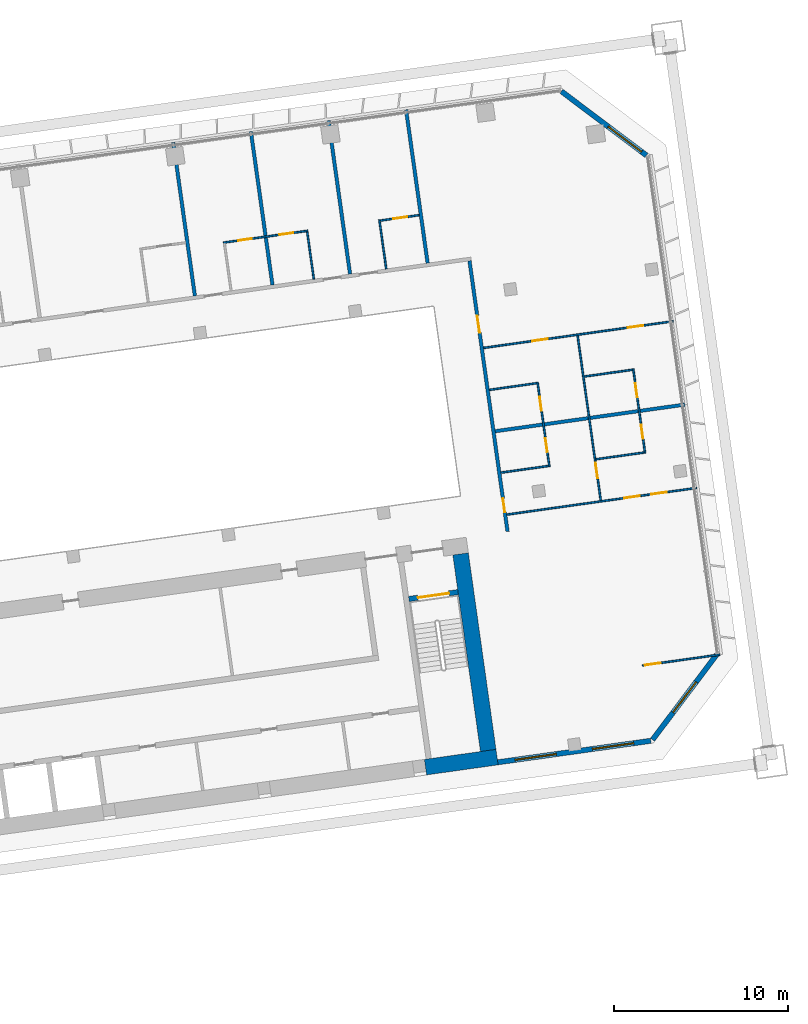
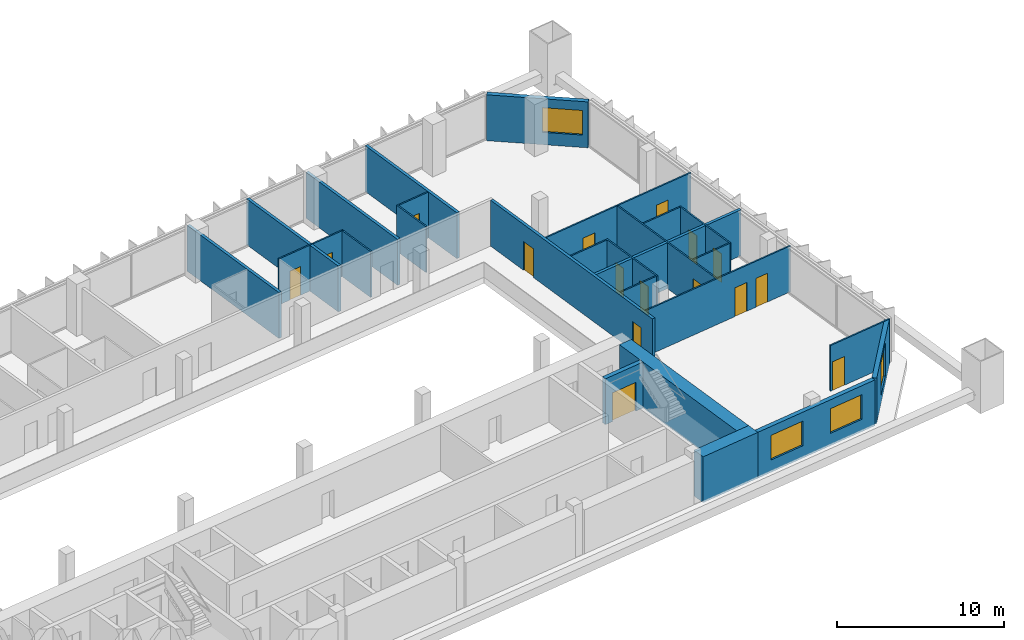
# One storey, part 36 of 46: 26 walls, 16 doors, 4 windows, 20 openings.
"""IFC4 building model written with IfcOpenShell, lengths in metres."""

from ifc_helpers import new_model, si_unit, direction, frame, frame_2d, origin, place, context, subcontext, project, spatial, rectangle, extrude, material, layer, layer_set, type_object, element, fill, save


model = new_model("IFC4")

# Units and contexts
model_context = context("Model", 3, precision=1e-05, world=origin(), true_north=direction((0.0, 1.0)))
body_context = subcontext(model_context, "Body", "Model", "MODEL_VIEW")
ifc_project = project(units=[si_unit("LENGTHUNIT", "METRE"), si_unit("AREAUNIT", "SQUARE_METRE"), si_unit("VOLUMEUNIT", "CUBIC_METRE"), si_unit("PLANEANGLEUNIT", "RADIAN"), si_unit("MASSUNIT", "GRAM", prefix="KILO")], contexts=[model_context])

# Site, building, storey
site_placement = place(None, origin())
site = spatial("IfcSite", under=ifc_project, at=site_placement, CompositionType="ELEMENT")
building_placement = place(site_placement, origin())
building = spatial("IfcBuilding", under=site, at=building_placement, Name="Mirante Cascada Hotel Towers", CompositionType="ELEMENT")
storey_placement = place(building_placement, frame((0.0, 0.0, 39.5)))
storey = spatial("IfcBuildingStorey", under=building, at=storey_placement, Name="L06", CompositionType="ELEMENT", Elevation=39.5)

# Walls
ifc_material_1 = material(Name="Fire-rated plasterboard on metal studs")
ifc_layer_1 = layer(ifc_material_1, 0.2)
ifc_layer_set_1 = layer_set([ifc_layer_1], Name="Compartment wall 200 EI 120")
wall_type_1 = type_object("IfcWallType", Name="Compartment wall 200 EI 120", PredefinedType="PARTITIONING", material=ifc_layer_set_1)
wall_1_placement = place(storey_placement, frame((90.4064, 6.4896, 0.0), z_axis=(0.0, 0.0, 1.0), x_axis=(0.990268, 0.1391733, 0.0)))
element("IfcWall", 1, at=wall_1_placement, inside=storey, type_object=wall_type_1, Name="Wall 2-L06-09", PredefinedType="PARTITIONING", context=body_context, shape_type="SweptSolid", body=[
    extrude(rectangle(XDim=11.0, YDim=0.2, at=frame_2d((5.5, 0.0))), origin(), (0.0, 0.0, 1.0), 3.35),
])
for number, where, z_axis, x_axis, name in (
    (2, (73.1564, 14.2645, 0.0), (0.0, 0.0, 1.0), (-0.1391684, 0.9902687, 0.0), "Wall 2-L06-47"),
    (3, (77.6126, 14.8908, 0.0), (0.0, 0.0, 1.0), (-0.1391684, 0.9902687, 0.0), "Wall 2-L06-49"),
):
    element("IfcWall", number, at=place(storey_placement, frame(where, z_axis=z_axis, x_axis=x_axis)), inside=storey, type_object=wall_type_1, Name=name, PredefinedType="PARTITIONING", context=body_context, shape_type="SweptSolid", body=[
        extrude(rectangle(XDim=8.9, YDim=0.2, at=frame_2d((4.45, 0.0))), origin(), (0.0, 0.0, 1.0), 3.35),
    ])
wall_2_placement = place(storey_placement, frame((82.0688, 15.5171, 0.0), z_axis=(0.0, 0.0, 1.0), x_axis=(-0.13917, 0.9902685, 0.0)))
element("IfcWall", 4, at=wall_2_placement, inside=storey, type_object=wall_type_1, Name="Wall 2-L06-51", PredefinedType="PARTITIONING", context=body_context, shape_type="SweptSolid", body=[
    extrude(rectangle(XDim=8.8999, YDim=0.2, at=frame_2d((4.45, 0.0))), origin(), (0.0, 0.0, 1.0), 3.35),
])
wall_3_placement = place(storey_placement, frame((86.525, 16.1433, 0.0), z_axis=(0.0, 0.0, 1.0), x_axis=(-0.1391684, 0.9902687, 0.0)))
element("IfcWall", 5, at=wall_3_placement, inside=storey, type_object=wall_type_1, Name="Wall 2-L06-53", PredefinedType="PARTITIONING", context=body_context, shape_type="SweptSolid", body=[
    extrude(rectangle(XDim=8.9, YDim=0.2, at=frame_2d((4.45, 0.0))), origin(), (0.0, 0.0, 1.0), 3.35),
])

# Wall, openings, doors
wall_4_placement = place(storey_placement, frame((88.9295, 16.2793, 0.0), z_axis=(0.0, 0.0, 1.0), x_axis=(0.1391721, -0.9902682, 0.0)))
wall_4 = element("IfcWall", 6, at=wall_4_placement, inside=storey, type_object=wall_type_1, Name="Wall 2-L06-54", PredefinedType="PARTITIONING", context=body_context, shape_type="SweptSolid", body=[
    extrude(rectangle(XDim=15.7, YDim=0.2, at=frame_2d((7.85, 0.0))), origin(), (0.0, 0.0, 1.0), 3.35),
])
opening_1_placement = place(wall_4_placement, frame((13.7833, 0.0, 0.0)))
opening_1 = element("IfcOpeningElement", 7, at=opening_1_placement, cuts=wall_4, Name="Opening D2-L06-35", PredefinedType="OPENING", context=body_context, shape_type="SweptSolid", body=[
    extrude(rectangle(XDim=0.8, YDim=2.1, at=frame_2d((0.4, 1.05))), frame((0.0, 0.1, 0.0), z_axis=(0.0, -1.0, 0.0), x_axis=(1.0, 0.0, 0.0)), (0.0, 0.0, 1.0), 0.2),
])
opening_2_placement = place(wall_4_placement, frame((3.1834, 0.0, 0.0)))
opening_2 = element("IfcOpeningElement", 8, at=opening_2_placement, cuts=wall_4, Name="Opening D2-L06-36", PredefinedType="OPENING", context=body_context, shape_type="SweptSolid", body=[
    extrude(rectangle(XDim=1.0, YDim=2.1, at=frame_2d((0.5, 1.05))), frame((0.0, 0.1, 0.0), z_axis=(0.0, -1.0, 0.0), x_axis=(1.0, 0.0, 0.0)), (0.0, 0.0, 1.0), 0.2),
])
ifc_material_2 = material(Name="Fire-rated timber door leaf", Category="wood")
door_type_1 = type_object("IfcDoorType", Name="Bathroom door DG4 800x2100 EI 60", OperationType="SINGLE_SWING_LEFT", PredefinedType="DOOR", material=ifc_material_2)
door_1_placement = place(opening_1_placement, frame((0.8, 0.0, 0.0), z_axis=(0.0, 0.0, 1.0), x_axis=(-1.0, 0.0, 0.0)))
door_1 = element("IfcDoor", 9, at=door_1_placement, inside=storey, type_object=door_type_1, Name="Door D2-L06-35", OperationType="SINGLE_SWING_RIGHT", OverallHeight=2.1, OverallWidth=0.8, PredefinedType="DOOR", context=body_context, shape_type="SweptSolid", body=[
    extrude(rectangle(XDim=0.8, YDim=2.1, at=frame_2d((0.4, 1.05))), frame((0.0, 0.025, 0.0), z_axis=(0.0, -1.0, 0.0), x_axis=(1.0, 0.0, 0.0)), (0.0, 0.0, 1.0), 0.05),
])
fill(opening_1, door_1)
ifc_material_3 = material(Name="Fire-rated timber door leaf", Category="wood")
door_type_2 = type_object("IfcDoorType", Name="Entrance door DG1 1000x2100 EI 60", OperationType="SINGLE_SWING_LEFT", PredefinedType="DOOR", material=ifc_material_3)
door_2_placement = place(opening_2_placement, origin())
door_2 = element("IfcDoor", 10, at=door_2_placement, inside=storey, type_object=door_type_2, Name="Door D2-L06-36", OperationType="SINGLE_SWING_LEFT", OverallHeight=2.1, OverallWidth=1.0, PredefinedType="DOOR", context=body_context, shape_type="SweptSolid", body=[
    extrude(rectangle(XDim=1.0, YDim=2.1, at=frame_2d((0.5, 1.05))), frame((0.0, 0.025, 0.0), z_axis=(0.0, -1.0, 0.0), x_axis=(1.0, 0.0, 0.0)), (0.0, 0.0, 1.0), 0.05),
])
fill(opening_2, door_2)

# Wall, opening, door
ifc_material_4 = material(Name="Plasterboard on metal studs")
ifc_layer_2 = layer(ifc_material_4, 0.1)
ifc_layer_set_2 = layer_set([ifc_layer_2], Name="Partition 100")
wall_type_2 = type_object("IfcWallType", Name="Partition 100", PredefinedType="PARTITIONING", material=ifc_layer_set_2)
wall_5_placement = place(storey_placement, frame((98.8611, -6.9647, 0.0), z_axis=(0.0, 0.0, 1.0), x_axis=(0.9902674, 0.1391779, 0.0)))
wall_5 = element("IfcWall", 11, at=wall_5_placement, inside=storey, type_object=wall_type_2, Name="Wall 2-L06-01", PredefinedType="PARTITIONING", context=body_context, shape_type="SweptSolid", body=[
    extrude(rectangle(XDim=4.5, YDim=0.1, at=frame_2d((2.25, 0.0))), origin(), (0.0, 0.0, 1.0), 3.35),
])
opening_3_placement = place(wall_5_placement, frame((0.15, 0.0, 0.0)))
opening_3 = element("IfcOpeningElement", 12, at=opening_3_placement, cuts=wall_5, Name="Opening D2-L06-01", PredefinedType="OPENING", context=body_context, shape_type="SweptSolid", body=[
    extrude(rectangle(XDim=0.9, YDim=2.1, at=frame_2d((0.45, 1.05))), frame((0.0, 0.05, 0.0), z_axis=(0.0, -1.0, 0.0), x_axis=(1.0, 0.0, 0.0)), (0.0, 0.0, 1.0), 0.1),
])
ifc_material_5 = material(Name="Timber door leaf", Category="wood")
door_type_3 = type_object("IfcDoorType", Name="Room door DG3 900x2100", OperationType="SINGLE_SWING_LEFT", PredefinedType="DOOR", material=ifc_material_5)
door_3_placement = place(opening_3_placement, origin())
door_3 = element("IfcDoor", 13, at=door_3_placement, inside=storey, type_object=door_type_3, Name="Door D2-L06-01", OperationType="SINGLE_SWING_LEFT", OverallHeight=2.1, OverallWidth=0.9, PredefinedType="DOOR", context=body_context, shape_type="SweptSolid", body=[
    extrude(rectangle(XDim=0.9, YDim=2.1, at=frame_2d((0.45, 1.05))), frame((0.0, 0.025, 0.0), z_axis=(0.0, -1.0, 0.0), x_axis=(1.0, 0.0, 0.0)), (0.0, 0.0, 1.0), 0.05),
])
fill(opening_3, door_3)

# Wall, openings, doors
wall_6_placement = place(storey_placement, frame((91.079, 1.7033, 0.0), z_axis=(0.0, 0.0, 1.0), x_axis=(0.9902682, 0.1391721, 0.0)))
wall_6 = element("IfcWall", 14, at=wall_6_placement, inside=storey, type_object=wall_type_2, Name="Wall 2-L06-05", PredefinedType="PARTITIONING", context=body_context, shape_type="SweptSolid", body=[
    extrude(rectangle(XDim=11.0001, YDim=0.1, at=frame_2d((5.5, 0.0))), origin(), (0.0, 0.0, 1.0), 3.35),
])
opening_4_placement = place(wall_6_placement, frame((6.8, 0.0, 0.0)))
opening_4 = element("IfcOpeningElement", 15, at=opening_4_placement, cuts=wall_6, Name="Opening D2-L06-03", PredefinedType="OPENING", context=body_context, shape_type="SweptSolid", body=[
    extrude(rectangle(XDim=0.9, YDim=2.1, at=frame_2d((0.45, 1.05))), frame((0.0, 0.05, 0.0), z_axis=(0.0, -1.0, 0.0), x_axis=(1.0, 0.0, 0.0)), (0.0, 0.0, 1.0), 0.1),
])
opening_5_placement = place(wall_6_placement, frame((8.375, 0.0, 0.0)))
opening_5 = element("IfcOpeningElement", 16, at=opening_5_placement, cuts=wall_6, Name="Opening D2-L06-04", PredefinedType="OPENING", context=body_context, shape_type="SweptSolid", body=[
    extrude(rectangle(XDim=0.9, YDim=2.1, at=frame_2d((0.45, 1.05))), frame((0.0, 0.05, 0.0), z_axis=(0.0, -1.0, 0.0), x_axis=(1.0, 0.0, 0.0)), (0.0, 0.0, 1.0), 0.1),
])
door_4_placement = place(opening_4_placement, frame((0.9, 0.0, 0.0), z_axis=(0.0, 0.0, 1.0), x_axis=(-1.0, 0.0, 0.0)))
door_4 = element("IfcDoor", 17, at=door_4_placement, inside=storey, type_object=door_type_3, Name="Door D2-L06-03", OperationType="SINGLE_SWING_RIGHT", OverallHeight=2.1, OverallWidth=0.9, PredefinedType="DOOR", context=body_context, shape_type="SweptSolid", body=[
    extrude(rectangle(XDim=0.9, YDim=2.1, at=frame_2d((0.45, 1.05))), frame((0.0, 0.025, 0.0), z_axis=(0.0, -1.0, 0.0), x_axis=(1.0, 0.0, 0.0)), (0.0, 0.0, 1.0), 0.05),
])
fill(opening_4, door_4)
door_5_placement = place(opening_5_placement, frame((0.9, 0.0, 0.0), z_axis=(0.0, 0.0, 1.0), x_axis=(-1.0, 0.0, 0.0)))
door_5 = element("IfcDoor", 18, at=door_5_placement, inside=storey, type_object=door_type_3, Name="Door D2-L06-04", OperationType="SINGLE_SWING_RIGHT", OverallHeight=2.1, OverallWidth=0.9, PredefinedType="DOOR", context=body_context, shape_type="SweptSolid", body=[
    extrude(rectangle(XDim=0.9, YDim=2.1, at=frame_2d((0.45, 1.05))), frame((0.0, 0.025, 0.0), z_axis=(0.0, -1.0, 0.0), x_axis=(1.0, 0.0, 0.0)), (0.0, 0.0, 1.0), 0.05),
])
fill(opening_5, door_5)

# Walls
wall_7_placement = place(storey_placement, frame((93.4636, 4.4956, 0.0), z_axis=(0.0, 0.0, 1.0), x_axis=(-0.9902691, -0.1391657, 0.0)))
element("IfcWall", 19, at=wall_7_placement, inside=storey, type_object=wall_type_2, Name="Wall 2-L06-06", PredefinedType="PARTITIONING", context=body_context, shape_type="SweptSolid", body=[
    extrude(rectangle(XDim=2.75, YDim=0.1, at=frame_2d((1.375, 0.0))), origin(), (0.0, 0.0, 1.0), 3.35),
])
wall_8_placement = place(storey_placement, frame((96.1868, 4.8784, 0.0), z_axis=(0.0, 0.0, 1.0), x_axis=(0.9902677, 0.139176, 0.0)))
element("IfcWall", 20, at=wall_8_placement, inside=storey, type_object=wall_type_2, Name="Wall 2-L06-07", PredefinedType="PARTITIONING", context=body_context, shape_type="SweptSolid", body=[
    extrude(rectangle(XDim=2.8001, YDim=0.1, at=frame_2d((1.4, 0.0))), origin(), (0.0, 0.0, 1.0), 3.35),
])
wall_9_placement = place(storey_placement, frame((90.0723, 8.8662, 0.0), z_axis=(0.0, 0.0, 1.0), x_axis=(0.9902698, 0.1391607, 0.0)))
element("IfcWall", 21, at=wall_9_placement, inside=storey, type_object=wall_type_2, Name="Wall 2-L06-11", PredefinedType="PARTITIONING", context=body_context, shape_type="SweptSolid", body=[
    extrude(rectangle(XDim=2.7501, YDim=0.1, at=frame_2d((1.3751, 0.0))), origin(), (0.0, 0.0, 1.0), 3.35),
])
wall_10_placement = place(storey_placement, frame((98.2916, 10.0213, 0.0), z_axis=(0.0, 0.0, 1.0), x_axis=(-0.9902726, -0.139141, 0.0)))
element("IfcWall", 22, at=wall_10_placement, inside=storey, type_object=wall_type_2, Name="Wall 2-L06-12", PredefinedType="PARTITIONING", context=body_context, shape_type="SweptSolid", body=[
    extrude(rectangle(XDim=2.8, YDim=0.1, at=frame_2d((1.4, 0.0))), origin(), (0.0, 0.0, 1.0), 3.35),
])

# Wall, openings, doors
wall_11_placement = place(storey_placement, frame((100.6266, 12.8067, 0.0), z_axis=(0.0, 0.0, 1.0), x_axis=(-0.990268, -0.1391733, 0.0)))
wall_11 = element("IfcWall", 23, at=wall_11_placement, inside=storey, type_object=wall_type_2, Name="Wall 2-L06-14", PredefinedType="PARTITIONING", context=body_context, shape_type="SweptSolid", body=[
    extrude(rectangle(XDim=11.0, YDim=0.1, at=frame_2d((5.5, 0.0))), origin(), (0.0, 0.0, 1.0), 3.35),
])
opening_6_placement = place(wall_11_placement, frame((7.275, 0.0, 0.0)))
opening_6 = element("IfcOpeningElement", 24, at=opening_6_placement, cuts=wall_11, Name="Opening D2-L06-05", PredefinedType="OPENING", context=body_context, shape_type="SweptSolid", body=[
    extrude(rectangle(XDim=0.9, YDim=2.1, at=frame_2d((0.45, 1.05))), frame((0.0, 0.05, 0.0), z_axis=(0.0, -1.0, 0.0), x_axis=(1.0, 0.0, 0.0)), (0.0, 0.0, 1.0), 0.1),
])
opening_7_placement = place(wall_11_placement, frame((1.725, 0.0, 0.0)))
opening_7 = element("IfcOpeningElement", 25, at=opening_7_placement, cuts=wall_11, Name="Opening D2-L06-06", PredefinedType="OPENING", context=body_context, shape_type="SweptSolid", body=[
    extrude(rectangle(XDim=0.9, YDim=2.1, at=frame_2d((0.45, 1.05))), frame((0.0, 0.05, 0.0), z_axis=(0.0, -1.0, 0.0), x_axis=(1.0, 0.0, 0.0)), (0.0, 0.0, 1.0), 0.1),
])
door_6_placement = place(opening_6_placement, frame((0.9, 0.0, 0.0), z_axis=(0.0, 0.0, 1.0), x_axis=(-1.0, 0.0, 0.0)))
door_6 = element("IfcDoor", 26, at=door_6_placement, inside=storey, type_object=door_type_3, Name="Door D2-L06-05", OperationType="SINGLE_SWING_RIGHT", OverallHeight=2.1, OverallWidth=0.9, PredefinedType="DOOR", context=body_context, shape_type="SweptSolid", body=[
    extrude(rectangle(XDim=0.9, YDim=2.1, at=frame_2d((0.45, 1.05))), frame((0.0, 0.025, 0.0), z_axis=(0.0, -1.0, 0.0), x_axis=(1.0, 0.0, 0.0)), (0.0, 0.0, 1.0), 0.05),
])
fill(opening_6, door_6)
door_7_placement = place(opening_7_placement, frame((0.9, 0.0, 0.0), z_axis=(0.0, 0.0, 1.0), x_axis=(-1.0, 0.0, 0.0)))
door_7 = element("IfcDoor", 27, at=door_7_placement, inside=storey, type_object=door_type_3, Name="Door D2-L06-06", OperationType="SINGLE_SWING_RIGHT", OverallHeight=2.1, OverallWidth=0.9, PredefinedType="DOOR", context=body_context, shape_type="SweptSolid", body=[
    extrude(rectangle(XDim=0.9, YDim=2.1, at=frame_2d((0.45, 1.05))), frame((0.0, 0.025, 0.0), z_axis=(0.0, -1.0, 0.0), x_axis=(1.0, 0.0, 0.0)), (0.0, 0.0, 1.0), 0.05),
])
fill(opening_7, door_7)

wall_12_placement = place(storey_placement, frame((79.6491, 18.0045, 0.0), z_axis=(0.0, 0.0, 1.0), x_axis=(-0.9902694, -0.1391638, 0.0)))
wall_12 = element("IfcWall", 28, at=wall_12_placement, inside=storey, type_object=wall_type_2, Name="Wall 2-L06-22", PredefinedType="PARTITIONING", context=body_context, shape_type="SweptSolid", body=[
    extrude(rectangle(XDim=4.9, YDim=0.1, at=frame_2d((2.45, 0.0))), origin(), (0.0, 0.0, 1.0), 3.35),
])
opening_8_placement = place(wall_12_placement, frame((3.25, 0.0, 0.0)))
opening_8 = element("IfcOpeningElement", 29, at=opening_8_placement, cuts=wall_12, Name="Opening D2-L06-23", PredefinedType="OPENING", context=body_context, shape_type="SweptSolid", body=[
    extrude(rectangle(XDim=0.8, YDim=2.1, at=frame_2d((0.4, 1.05))), frame((0.0, 0.05, 0.0), z_axis=(0.0, -1.0, 0.0), x_axis=(1.0, 0.0, 0.0)), (0.0, 0.0, 1.0), 0.1),
])
opening_9_placement = place(wall_12_placement, frame((0.85, 0.0, 0.0)))
opening_9 = element("IfcOpeningElement", 30, at=opening_9_placement, cuts=wall_12, Name="Opening D2-L06-24", PredefinedType="OPENING", context=body_context, shape_type="SweptSolid", body=[
    extrude(rectangle(XDim=0.8, YDim=2.1, at=frame_2d((0.4, 1.05))), frame((0.0, 0.05, 0.0), z_axis=(0.0, -1.0, 0.0), x_axis=(1.0, 0.0, 0.0)), (0.0, 0.0, 1.0), 0.1),
])
ifc_material_6 = material(Name="Timber door leaf", Category="wood")
door_type_4 = type_object("IfcDoorType", Name="Bathroom door DG4 800x2100", OperationType="SINGLE_SWING_LEFT", PredefinedType="DOOR", material=ifc_material_6)
door_8_placement = place(opening_8_placement, frame((0.8, 0.0, 0.0), z_axis=(0.0, 0.0, 1.0), x_axis=(-1.0, 0.0, 0.0)))
door_8 = element("IfcDoor", 31, at=door_8_placement, inside=storey, type_object=door_type_4, Name="Door D2-L06-23", OperationType="SINGLE_SWING_RIGHT", OverallHeight=2.1, OverallWidth=0.8, PredefinedType="DOOR", context=body_context, shape_type="SweptSolid", body=[
    extrude(rectangle(XDim=0.8, YDim=2.1, at=frame_2d((0.4, 1.05))), frame((0.0, 0.025, 0.0), z_axis=(0.0, -1.0, 0.0), x_axis=(1.0, 0.0, 0.0)), (0.0, 0.0, 1.0), 0.05),
])
fill(opening_8, door_8)
door_9_placement = place(opening_9_placement, frame((0.8, 0.0, 0.0), z_axis=(0.0, 0.0, 1.0), x_axis=(-1.0, 0.0, 0.0)))
door_9 = element("IfcDoor", 32, at=door_9_placement, inside=storey, type_object=door_type_4, Name="Door D2-L06-24", OperationType="SINGLE_SWING_RIGHT", OverallHeight=2.1, OverallWidth=0.8, PredefinedType="DOOR", context=body_context, shape_type="SweptSolid", body=[
    extrude(rectangle(XDim=0.8, YDim=2.1, at=frame_2d((0.4, 1.05))), frame((0.0, 0.025, 0.0), z_axis=(0.0, -1.0, 0.0), x_axis=(1.0, 0.0, 0.0)), (0.0, 0.0, 1.0), 0.05),
])
fill(opening_9, door_9)

# Wall, opening, door
wall_13_placement = place(storey_placement, frame((83.8082, 18.589, 0.0), z_axis=(0.0, 0.0, 1.0), x_axis=(0.9902643, 0.1391997, 0.0)))
wall_13 = element("IfcWall", 33, at=wall_13_placement, inside=storey, type_object=wall_type_2, Name="Wall 2-L06-23", PredefinedType="PARTITIONING", context=body_context, shape_type="SweptSolid", body=[
    extrude(rectangle(XDim=2.25, YDim=0.1, at=frame_2d((1.125, 0.0))), origin(), (0.0, 0.0, 1.0), 3.35),
])
opening_10_placement = place(wall_13_placement, frame((0.75, 0.0, 0.0)))
opening_10 = element("IfcOpeningElement", 34, at=opening_10_placement, cuts=wall_13, Name="Opening D2-L06-25", PredefinedType="OPENING", context=body_context, shape_type="SweptSolid", body=[
    extrude(rectangle(XDim=0.8, YDim=2.1, at=frame_2d((0.4, 1.05))), frame((0.0, 0.05, 0.0), z_axis=(0.0, -1.0, 0.0), x_axis=(1.0, 0.0, 0.0)), (0.0, 0.0, 1.0), 0.1),
])
door_10_placement = place(opening_10_placement, origin())
door_10 = element("IfcDoor", 35, at=door_10_placement, inside=storey, type_object=door_type_4, Name="Door D2-L06-25", OperationType="SINGLE_SWING_LEFT", OverallHeight=2.1, OverallWidth=0.8, PredefinedType="DOOR", context=body_context, shape_type="SweptSolid", body=[
    extrude(rectangle(XDim=0.8, YDim=2.1, at=frame_2d((0.4, 1.05))), frame((0.0, 0.025, 0.0), z_axis=(0.0, -1.0, 0.0), x_axis=(1.0, 0.0, 0.0)), (0.0, 0.0, 1.0), 0.05),
])
fill(opening_10, door_10)

# Walls
wall_14_placement = place(storey_placement, frame((79.6065, 17.948, 0.0), z_axis=(0.0, 0.0, 1.0), x_axis=(0.1392013, -0.9902641, 0.0)))
element("IfcWall", 36, at=wall_14_placement, inside=storey, type_object=wall_type_2, Name="Wall 2-L06-50", PredefinedType="PARTITIONING", context=body_context, shape_type="SweptSolid", body=[
    extrude(rectangle(XDim=2.75, YDim=0.1, at=frame_2d((1.375, 0.0))), origin(), (0.0, 0.0, 1.0), 3.35),
])
wall_15_placement = place(storey_placement, frame((83.7517, 18.6316, 0.0), z_axis=(0.0, 0.0, 1.0), x_axis=(0.1391909, -0.9902656, 0.0)))
element("IfcWall", 37, at=wall_15_placement, inside=storey, type_object=wall_type_2, Name="Wall 2-L06-52", PredefinedType="PARTITIONING", context=body_context, shape_type="SweptSolid", body=[
    extrude(rectangle(XDim=2.85, YDim=0.1, at=frame_2d((1.425, 0.0))), origin(), (0.0, 0.0, 1.0), 3.35),
])

# Wall, openings, doors
wall_16_placement = place(storey_placement, frame((93.5201, 4.4531, 0.0), z_axis=(0.0, 0.0, 1.0), x_axis=(-0.1391838, 0.9902666, 0.0)))
wall_16 = element("IfcWall", 38, at=wall_16_placement, inside=storey, type_object=wall_type_2, Name="Wall 2-L06-55", PredefinedType="PARTITIONING", context=body_context, shape_type="SweptSolid", body=[
    extrude(rectangle(XDim=4.9, YDim=0.1, at=frame_2d((2.45, 0.0))), origin(), (0.0, 0.0, 1.0), 3.35),
])
opening_11_placement = place(wall_16_placement, frame((0.85, 0.0, 0.0)))
opening_11 = element("IfcOpeningElement", 39, at=opening_11_placement, cuts=wall_16, Name="Opening D2-L06-37", PredefinedType="OPENING", context=body_context, shape_type="SweptSolid", body=[
    extrude(rectangle(XDim=0.8, YDim=2.1, at=frame_2d((0.4, 1.05))), frame((0.0, 0.05, 0.0), z_axis=(0.0, -1.0, 0.0), x_axis=(1.0, 0.0, 0.0)), (0.0, 0.0, 1.0), 0.1),
])
opening_12_placement = place(wall_16_placement, frame((3.25, 0.0, 0.0)))
opening_12 = element("IfcOpeningElement", 40, at=opening_12_placement, cuts=wall_16, Name="Opening D2-L06-38", PredefinedType="OPENING", context=body_context, shape_type="SweptSolid", body=[
    extrude(rectangle(XDim=0.8, YDim=2.1, at=frame_2d((0.4, 1.05))), frame((0.0, 0.05, 0.0), z_axis=(0.0, -1.0, 0.0), x_axis=(1.0, 0.0, 0.0)), (0.0, 0.0, 1.0), 0.1),
])
door_11_placement = place(opening_11_placement, origin())
door_11 = element("IfcDoor", 41, at=door_11_placement, inside=storey, type_object=door_type_4, Name="Door D2-L06-37", OperationType="SINGLE_SWING_LEFT", OverallHeight=2.1, OverallWidth=0.8, PredefinedType="DOOR", context=body_context, shape_type="SweptSolid", body=[
    extrude(rectangle(XDim=0.8, YDim=2.1, at=frame_2d((0.4, 1.05))), frame((0.0, 0.025, 0.0), z_axis=(0.0, -1.0, 0.0), x_axis=(1.0, 0.0, 0.0)), (0.0, 0.0, 1.0), 0.05),
])
fill(opening_11, door_11)
door_12_placement = place(opening_12_placement, origin())
door_12 = element("IfcDoor", 42, at=door_12_placement, inside=storey, type_object=door_type_4, Name="Door D2-L06-38", OperationType="SINGLE_SWING_LEFT", OverallHeight=2.1, OverallWidth=0.8, PredefinedType="DOOR", context=body_context, shape_type="SweptSolid", body=[
    extrude(rectangle(XDim=0.8, YDim=2.1, at=frame_2d((0.4, 1.05))), frame((0.0, 0.025, 0.0), z_axis=(0.0, -1.0, 0.0), x_axis=(1.0, 0.0, 0.0)), (0.0, 0.0, 1.0), 0.05),
])
fill(opening_12, door_12)

# Wall, opening, door
wall_17_placement = place(storey_placement, frame((95.1376, 11.9848, 0.0), z_axis=(0.0, 0.0, 1.0), x_axis=(0.1391717, -0.9902683, 0.0)))
wall_17 = element("IfcWall", 43, at=wall_17_placement, inside=storey, type_object=wall_type_2, Name="Wall 2-L06-56", PredefinedType="PARTITIONING", context=body_context, shape_type="SweptSolid", body=[
    extrude(rectangle(XDim=9.5666, YDim=0.1, at=frame_2d((4.7833, 0.0))), origin(), (0.0, 0.0, 1.0), 3.35),
])
opening_13_placement = place(wall_17_placement, frame((7.3666, 0.0, 0.0)))
opening_13 = element("IfcOpeningElement", 44, at=opening_13_placement, cuts=wall_17, Name="Opening D2-L06-39", PredefinedType="OPENING", context=body_context, shape_type="SweptSolid", body=[
    extrude(rectangle(XDim=0.9, YDim=2.1, at=frame_2d((0.45, 1.05))), frame((0.0, 0.05, 0.0), z_axis=(0.0, -1.0, 0.0), x_axis=(1.0, 0.0, 0.0)), (0.0, 0.0, 1.0), 0.1),
])
door_13_placement = place(opening_13_placement, frame((0.9, 0.0, 0.0), z_axis=(0.0, 0.0, 1.0), x_axis=(-1.0, 0.0, 0.0)))
door_13 = element("IfcDoor", 45, at=door_13_placement, inside=storey, type_object=door_type_3, Name="Door D2-L06-39", OperationType="SINGLE_SWING_RIGHT", OverallHeight=2.1, OverallWidth=0.9, PredefinedType="DOOR", context=body_context, shape_type="SweptSolid", body=[
    extrude(rectangle(XDim=0.9, YDim=2.1, at=frame_2d((0.45, 1.05))), frame((0.0, 0.025, 0.0), z_axis=(0.0, -1.0, 0.0), x_axis=(1.0, 0.0, 0.0)), (0.0, 0.0, 1.0), 0.05),
])
fill(opening_13, door_13)

# Wall, openings, doors
wall_18_placement = place(storey_placement, frame((99.0161, 5.2255, 0.0), z_axis=(0.0, 0.0, 1.0), x_axis=(-0.1391838, 0.9902666, 0.0)))
wall_18 = element("IfcWall", 46, at=wall_18_placement, inside=storey, type_object=wall_type_2, Name="Wall 2-L06-57", PredefinedType="PARTITIONING", context=body_context, shape_type="SweptSolid", body=[
    extrude(rectangle(XDim=4.9, YDim=0.1, at=frame_2d((2.45, 0.0))), origin(), (0.0, 0.0, 1.0), 3.35),
])
opening_14_placement = place(wall_18_placement, frame((0.85, 0.0, 0.0)))
opening_14 = element("IfcOpeningElement", 47, at=opening_14_placement, cuts=wall_18, Name="Opening D2-L06-40", PredefinedType="OPENING", context=body_context, shape_type="SweptSolid", body=[
    extrude(rectangle(XDim=0.8, YDim=2.1, at=frame_2d((0.4, 1.05))), frame((0.0, 0.05, 0.0), z_axis=(0.0, -1.0, 0.0), x_axis=(1.0, 0.0, 0.0)), (0.0, 0.0, 1.0), 0.1),
])
opening_15_placement = place(wall_18_placement, frame((3.25, 0.0, 0.0)))
opening_15 = element("IfcOpeningElement", 48, at=opening_15_placement, cuts=wall_18, Name="Opening D2-L06-41", PredefinedType="OPENING", context=body_context, shape_type="SweptSolid", body=[
    extrude(rectangle(XDim=0.8, YDim=2.1, at=frame_2d((0.4, 1.05))), frame((0.0, 0.05, 0.0), z_axis=(0.0, -1.0, 0.0), x_axis=(1.0, 0.0, 0.0)), (0.0, 0.0, 1.0), 0.1),
])
door_14_placement = place(opening_14_placement, origin())
door_14 = element("IfcDoor", 49, at=door_14_placement, inside=storey, type_object=door_type_4, Name="Door D2-L06-40", OperationType="SINGLE_SWING_LEFT", OverallHeight=2.1, OverallWidth=0.8, PredefinedType="DOOR", context=body_context, shape_type="SweptSolid", body=[
    extrude(rectangle(XDim=0.8, YDim=2.1, at=frame_2d((0.4, 1.05))), frame((0.0, 0.025, 0.0), z_axis=(0.0, -1.0, 0.0), x_axis=(1.0, 0.0, 0.0)), (0.0, 0.0, 1.0), 0.05),
])
fill(opening_14, door_14)
door_15_placement = place(opening_15_placement, origin())
door_15 = element("IfcDoor", 50, at=door_15_placement, inside=storey, type_object=door_type_4, Name="Door D2-L06-41", OperationType="SINGLE_SWING_LEFT", OverallHeight=2.1, OverallWidth=0.8, PredefinedType="DOOR", context=body_context, shape_type="SweptSolid", body=[
    extrude(rectangle(XDim=0.8, YDim=2.1, at=frame_2d((0.4, 1.05))), frame((0.0, 0.025, 0.0), z_axis=(0.0, -1.0, 0.0), x_axis=(1.0, 0.0, 0.0)), (0.0, 0.0, 1.0), 0.05),
])
fill(opening_15, door_15)

# Wall, openings, windows
ifc_material_7 = material(Name="Precast concrete C40/50", Category="concrete")
ifc_layer_3 = layer(ifc_material_7, 0.3)
ifc_layer_set_3 = layer_set([ifc_layer_3], Name="Precast concrete C40/50 cladding wall 300")
wall_type_3 = type_object("IfcWallType", Name="Precast concrete C40/50 cladding wall 300", PredefinedType="STANDARD", material=ifc_layer_set_3)
wall_19_placement = place(storey_placement, frame((90.5541, -12.5249, 0.0), z_axis=(0.0, 0.0, 1.0), x_axis=(0.9902678, 0.1391749, 0.0)))
wall_19 = element("IfcWall", 51, at=wall_19_placement, inside=storey, type_object=wall_type_3, Name="Rear cladding wall T2 L06 1", PredefinedType="STANDARD", context=body_context, shape_type="SweptSolid", body=[
    extrude(rectangle(XDim=8.8759, YDim=0.3, at=frame_2d((4.438, 0.0))), origin(), (0.0, 0.0, 1.0), 3.35),
])
opening_16_placement = place(wall_19_placement, frame((1.0012, 0.0, 0.9)))
opening_16 = element("IfcOpeningElement", 52, at=opening_16_placement, cuts=wall_19, Name="Opening W2-06-01", PredefinedType="OPENING", context=body_context, shape_type="SweptSolid", body=[
    extrude(rectangle(XDim=2.4, YDim=1.8, at=frame_2d((1.2, 0.9))), frame((0.0, 0.15, 0.0), z_axis=(0.0, -1.0, 0.0), x_axis=(1.0, 0.0, 0.0)), (0.0, 0.0, 1.0), 0.3),
])
opening_17_placement = place(wall_19_placement, frame((5.4923, 0.0, 0.9)))
opening_17 = element("IfcOpeningElement", 53, at=opening_17_placement, cuts=wall_19, Name="Opening W2-06-02", PredefinedType="OPENING", context=body_context, shape_type="SweptSolid", body=[
    extrude(rectangle(XDim=2.4, YDim=1.8, at=frame_2d((1.2, 0.9))), frame((0.0, 0.15, 0.0), z_axis=(0.0, -1.0, 0.0), x_axis=(1.0, 0.0, 0.0)), (0.0, 0.0, 1.0), 0.3),
])
ifc_material_8 = material(Name="Aluminium frame with clear double glazing", Category="aluminium")
window_type_1 = type_object("IfcWindowType", Name="Punched window 2400x1800", PartitioningType="DOUBLE_PANEL_VERTICAL", PredefinedType="WINDOW", material=ifc_material_8)
window_1_placement = place(opening_16_placement, origin())
window_1 = element("IfcWindow", 54, at=window_1_placement, inside=storey, type_object=window_type_1, Name="Window W2-06-01", OverallHeight=1.8, OverallWidth=2.4, PartitioningType="SINGLE_PANEL", PredefinedType="WINDOW", context=body_context, shape_type="SweptSolid", body=[
    extrude(rectangle(XDim=2.4, YDim=1.8, at=frame_2d((1.2, 0.9))), frame((0.0, 0.03, 0.0), z_axis=(0.0, -1.0, 0.0), x_axis=(1.0, 0.0, 0.0)), (0.0, 0.0, 1.0), 0.06),
])
fill(opening_16, window_1)
window_2_placement = place(opening_17_placement, origin())
window_2 = element("IfcWindow", 55, at=window_2_placement, inside=storey, type_object=window_type_1, Name="Window W2-06-02", OverallHeight=1.8, OverallWidth=2.4, PartitioningType="SINGLE_PANEL", PredefinedType="WINDOW", context=body_context, shape_type="SweptSolid", body=[
    extrude(rectangle(XDim=2.4, YDim=1.8, at=frame_2d((1.2, 0.9))), frame((0.0, 0.03, 0.0), z_axis=(0.0, -1.0, 0.0), x_axis=(1.0, 0.0, 0.0)), (0.0, 0.0, 1.0), 0.06),
])
fill(opening_17, window_2)

# Wall, opening, window
wall_20_placement = place(storey_placement, frame((99.4423, -11.2315, 0.0), z_axis=(0.0, 0.0, 1.0), x_axis=(0.6018141, 0.7986362, 0.0)))
wall_20 = element("IfcWall", 56, at=wall_20_placement, inside=storey, type_object=wall_type_3, Name="Corner cladding wall T2 L06 rear outer", PredefinedType="STANDARD", context=body_context, shape_type="SweptSolid", body=[
    extrude(rectangle(XDim=6.1157, YDim=0.3, at=frame_2d((3.0578, 0.0))), origin(), (0.0, 0.0, 1.0), 3.35),
])
opening_18_placement = place(wall_20_placement, frame((1.9578, 0.0, 0.6)))
opening_18 = element("IfcOpeningElement", 57, at=opening_18_placement, cuts=wall_20, Name="Opening W2-06-03", PredefinedType="OPENING", context=body_context, shape_type="SweptSolid", body=[
    extrude(rectangle(XDim=2.2, YDim=2.4, at=frame_2d((1.1, 1.2))), frame((0.0, 0.15, 0.0), z_axis=(0.0, -1.0, 0.0), x_axis=(1.0, 0.0, 0.0)), (0.0, 0.0, 1.0), 0.3),
])
ifc_material_9 = material(Name="Aluminium frame with clear double glazing", Category="aluminium")
window_type_2 = type_object("IfcWindowType", Name="Corner suite window 2200x2400", PartitioningType="DOUBLE_PANEL_VERTICAL", PredefinedType="WINDOW", material=ifc_material_9)
window_3_placement = place(opening_18_placement, origin())
window_3 = element("IfcWindow", 58, at=window_3_placement, inside=storey, type_object=window_type_2, Name="Window W2-06-03", OverallHeight=2.4, OverallWidth=2.2, PartitioningType="SINGLE_PANEL", PredefinedType="WINDOW", context=body_context, shape_type="SweptSolid", body=[
    extrude(rectangle(XDim=2.2, YDim=2.4, at=frame_2d((1.1, 1.2))), frame((0.0, 0.03, 0.0), z_axis=(0.0, -1.0, 0.0), x_axis=(1.0, 0.0, 0.0)), (0.0, 0.0, 1.0), 0.06),
])
fill(opening_18, window_3)

wall_21_placement = place(storey_placement, frame((99.0919, 22.3343, 0.0), z_axis=(0.0, 0.0, 1.0), x_axis=(-0.7986362, 0.6018141, 0.0)))
wall_21 = element("IfcWall", 59, at=wall_21_placement, inside=storey, type_object=wall_type_3, Name="Corner cladding wall T2 L06 outer front", PredefinedType="STANDARD", context=body_context, shape_type="SweptSolid", body=[
    extrude(rectangle(XDim=6.1157, YDim=0.3, at=frame_2d((3.0578, 0.0))), origin(), (0.0, 0.0, 1.0), 3.35),
])
opening_19_placement = place(wall_21_placement, frame((0.35, 0.0, 0.9)))
opening_19 = element("IfcOpeningElement", 60, at=opening_19_placement, cuts=wall_21, Name="Opening W2-06-06", PredefinedType="OPENING", context=body_context, shape_type="SweptSolid", body=[
    extrude(rectangle(XDim=2.4, YDim=1.8, at=frame_2d((1.2, 0.9))), frame((0.0, 0.15, 0.0), z_axis=(0.0, -1.0, 0.0), x_axis=(1.0, 0.0, 0.0)), (0.0, 0.0, 1.0), 0.3),
])
window_4_placement = place(opening_19_placement, origin())
window_4 = element("IfcWindow", 61, at=window_4_placement, inside=storey, type_object=window_type_1, Name="Window W2-06-06", OverallHeight=1.8, OverallWidth=2.4, PartitioningType="SINGLE_PANEL", PredefinedType="WINDOW", context=body_context, shape_type="SweptSolid", body=[
    extrude(rectangle(XDim=2.4, YDim=1.8, at=frame_2d((1.2, 0.9))), frame((0.0, 0.03, 0.0), z_axis=(0.0, -1.0, 0.0), x_axis=(1.0, 0.0, 0.0)), (0.0, 0.0, 1.0), 0.06),
])
fill(opening_19, window_4)

# Wall, opening, door
ifc_material_10 = material(Name="Concrete C50/60", Category="concrete")
ifc_layer_4 = layer(ifc_material_10, 0.3)
ifc_layer_set_4 = layer_set([ifc_layer_4], Name="RC core wall 300 C50/60")
wall_type_4 = type_object("IfcWallType", Name="RC core wall 300 C50/60", PredefinedType="SHEAR", material=ifc_layer_set_4)
wall_22_placement = place(storey_placement, frame((85.4489, -3.1441, 0.0), z_axis=(0.0, 0.0, 1.0), x_axis=(0.9902697, 0.1391613, 0.0)))
wall_22 = element("IfcWall", 62, at=wall_22_placement, inside=storey, type_object=wall_type_4, Name="Core wall T2:L06:11", PredefinedType="SHEAR", context=body_context, shape_type="SweptSolid", body=[
    extrude(rectangle(XDim=2.8499, YDim=0.3, at=frame_2d((1.425, 0.0))), origin(), (0.0, 0.0, 1.0), 3.35),
])
opening_20_placement = place(wall_22_placement, frame((0.525, 0.0, 0.0)))
opening_20 = element("IfcOpeningElement", 63, at=opening_20_placement, cuts=wall_22, Name="Opening D2-06-C17", PredefinedType="OPENING", context=body_context, shape_type="SweptSolid", body=[
    extrude(rectangle(XDim=1.8, YDim=2.1, at=frame_2d((0.9, 1.05))), frame((0.0, 0.15, 0.0), z_axis=(0.0, -1.0, 0.0), x_axis=(1.0, 0.0, 0.0)), (0.0, 0.0, 1.0), 0.3),
])
ifc_material_11 = material(Name="Hollow metal fire door leaf")
door_type_5 = type_object("IfcDoorType", Name="Double fire door 1800x2100 FD60", OperationType="DOUBLE_DOOR_SINGLE_SWING", PredefinedType="DOOR", material=ifc_material_11)
door_16_placement = place(opening_20_placement, frame((1.8, 0.0, 0.0), z_axis=(0.0, 0.0, 1.0), x_axis=(-1.0, 0.0, 0.0)))
door_16 = element("IfcDoor", 64, at=door_16_placement, inside=storey, type_object=door_type_5, Name="Stair door T2 L06 17", OperationType="DOUBLE_DOOR_SINGLE_SWING", OverallHeight=2.1, OverallWidth=1.8, PredefinedType="DOOR", context=body_context, shape_type="SweptSolid", body=[
    extrude(rectangle(XDim=0.895, YDim=2.1, at=frame_2d((0.4475, 1.05))), frame((0.0, 0.025, 0.0), z_axis=(0.0, -1.0, 0.0), x_axis=(1.0, 0.0, 0.0)), (0.0, 0.0, 1.0), 0.05),
    extrude(rectangle(XDim=0.895, YDim=2.1, at=frame_2d((1.3525, 1.05))), frame((0.0, 0.025, 0.0), z_axis=(0.0, -1.0, 0.0), x_axis=(1.0, 0.0, 0.0)), (0.0, 0.0, 1.0), 0.05),
])
fill(opening_20, door_16)

# Walls
ifc_material_12 = material(Name="Concrete C50/60", Category="concrete")
ifc_layer_5 = layer(ifc_material_12, 0.9)
ifc_layer_set_5 = layer_set([ifc_layer_5], Name="RC core wall 900 C50/60")
wall_type_5 = type_object("IfcWallType", Name="RC core wall 900 C50/60", PredefinedType="SHEAR", material=ifc_layer_set_5)
wall_23_placement = place(storey_placement, frame((86.4027, -12.8054, 0.0), z_axis=(0.0, 0.0, 1.0), x_axis=(0.990267, 0.139181, 0.0)))
element("IfcWall", 65, at=wall_23_placement, inside=storey, type_object=wall_type_5, Name="Core wall T2:L06:1.7", PredefinedType="SHEAR", context=body_context, shape_type="SweptSolid", body=[
    extrude(rectangle(XDim=4.15, YDim=0.9, at=frame_2d((2.075, 0.0))), origin(), (0.0, 0.0, 1.0), 3.35),
])
wall_24_placement = place(storey_placement, frame((90.0041, -11.8449, 0.0), z_axis=(0.0, 0.0, 1.0), x_axis=(-0.1391749, 0.9902678, 0.0)))
element("IfcWall", 66, at=wall_24_placement, inside=storey, type_object=wall_type_5, Name="Core wall T2:L06:4", PredefinedType="SHEAR", context=body_context, shape_type="SweptSolid", body=[
    extrude(rectangle(XDim=11.4, YDim=0.9, at=frame_2d((5.7, 0.0))), origin(), (0.0, 0.0, 1.0), 3.35),
])

save(model, "model.ifc")
